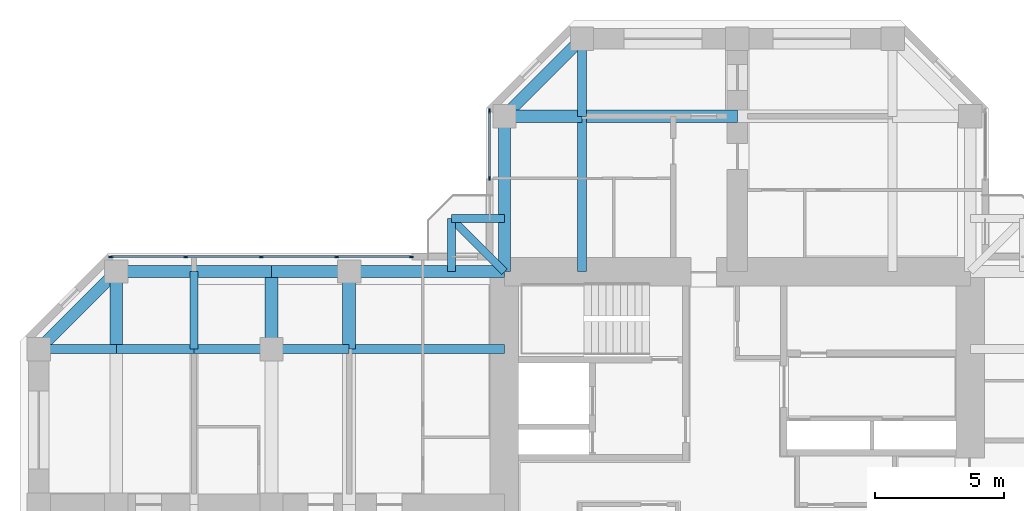
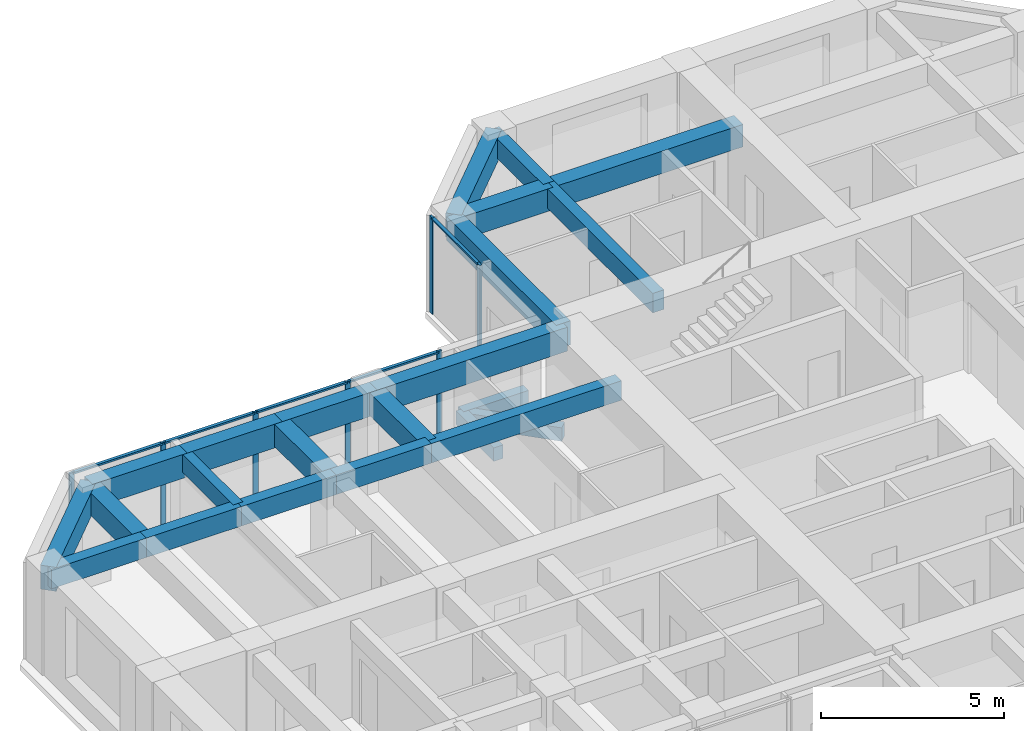
# One storey, part 5 of 14: 23 beams, 12 members, 2 elements without a shape of their own.
"""IFC4 building model written with IfcOpenShell, lengths in metres."""

from ifc_helpers import new_model, si_unit, direction, frame, origin, origin_2d, place, context, subcontext, project, spatial, rectangle, extrude, material, material_profile, profile_set, type_object, element, aggregate, save


model = new_model("IFC4")

# Units and contexts
model_context = context("Model", 3, precision=1e-05, world=origin(), true_north=direction((0.0, 1.0)))
body_context = subcontext(model_context, "Body", "Model", "MODEL_VIEW")
ifc_project = project(units=[si_unit("LENGTHUNIT", "METRE"), si_unit("AREAUNIT", "SQUARE_METRE"), si_unit("VOLUMEUNIT", "CUBIC_METRE"), si_unit("PLANEANGLEUNIT", "RADIAN"), si_unit("MASSUNIT", "GRAM", prefix="KILO")], contexts=[model_context])

# Site, building, storey
site_placement = place(None, origin())
site = spatial("IfcSite", under=ifc_project, at=site_placement, CompositionType="ELEMENT")
building_placement = place(site_placement, origin())
building = spatial("IfcBuilding", under=site, at=building_placement, Name="Torre Cruceta", CompositionType="ELEMENT")
storey_placement = place(building_placement, frame((0.0, 0.0, 186.5)))
storey = spatial("IfcBuildingStorey", under=building, at=storey_placement, Name="L46", CompositionType="ELEMENT", Elevation=186.5)

# Beams
ifc_material_1 = material(Name="Concrete G60 (fck 60 MPa)", Category="concrete")
ifc_material_profile_1 = material_profile(ifc_material_1, rectangle(XDim=0.300048828125, YDim=0.449951171875, at=origin_2d()), Name="RC 300X450")
ifc_profile_set_1 = profile_set([ifc_material_profile_1], Name="Concrete G60 (fck 60 MPa)")
beam_type_1 = type_object("IfcBeamType", Name="BALCONY CANTILEVER BEAM RC 300X450", PredefinedType="BEAM", material=ifc_profile_set_1)
beam_1_placement = place(storey_placement, frame((-9.0, 9.0, -0.405029296875), z_axis=(-0.707106781187, 0.707106781187, 0.0), x_axis=(-0.707106781187, -0.707106781187, 0.0)))
element("IfcBeam", 1, at=beam_1_placement, inside=storey, type_object=beam_type_1, Name="BB1 balcony beam L46 N", PredefinedType="BEAM", context=body_context, shape_type="SweptSolid", body=[
    extrude(rectangle(XDim=0.300048828125, YDim=0.449951171875, at=origin_2d()), origin(), (0.0, 0.0, 1.0), 2.89990234375),
])
for number, where, z_axis, x_axis, name in (
    (2, (-11.050537109375, 9.0, -0.405029296875), (0.0, 1.0, 0.0), (-1.0, 0.0, 0.0), "BB1 balcony edge beam L46 N-X"),
    (3, (-9.0, 11.050537109375, -0.405029296875), (-1.0, 0.0, 0.0), (0.0, -1.0, 0.0), "BB1 balcony edge beam L46 N-Y"),
):
    element("IfcBeam", number, at=place(storey_placement, frame(where, z_axis=z_axis, x_axis=x_axis)), inside=storey, type_object=beam_type_1, Name=name, PredefinedType="BEAM", context=body_context, shape_type="SweptSolid", body=[
        extrude(rectangle(XDim=0.300048828125, YDim=0.449951171875, at=origin_2d()), origin(), (0.0, 0.0, 1.0), 2.050537109375),
    ])
ifc_material_2 = material(Name="Concrete G60 (fck 60 MPa)", Category="concrete")
ifc_material_profile_2 = material_profile(ifc_material_2, rectangle(XDim=0.35009765625, YDim=0.64990234375, at=origin_2d()), Name="RC 350X650")
ifc_profile_set_2 = profile_set([ifc_material_profile_2], Name="Concrete G60 (fck 60 MPa)")
beam_type_2 = type_object("IfcBeamType", Name="COLUMN LINE BEAM RC 350X650", PredefinedType="BEAM", material=ifc_profile_set_2)
beam_2_placement = place(storey_placement, frame((-6.0, 9.0, 2.89501953125), z_axis=(0.0, 1.0, 0.0), x_axis=(-1.0, 0.0, 0.0)))
element("IfcBeam", 4, at=beam_2_placement, inside=storey, type_object=beam_type_2, Name="LB7 L46 N col+ 1", PredefinedType="BEAM", context=body_context, shape_type="SweptSolid", body=[
    extrude(rectangle(XDim=0.35009765625, YDim=0.64990234375, at=origin_2d()), origin(), (0.0, 0.0, 1.0), 6.0),
])
beam_3_placement = place(storey_placement, frame((-6.0, 15.0, 2.89501953125), z_axis=(0.0, 1.0, 0.0), x_axis=(-1.0, 0.0, 0.0)))
element("IfcBeam", 5, at=beam_3_placement, inside=storey, type_object=beam_type_2, Name="LB7 L46 N col+ 2", PredefinedType="BEAM", context=body_context, shape_type="SweptSolid", body=[
    extrude(rectangle(XDim=0.35009765625, YDim=0.64990234375, at=origin_2d()), origin(), (0.0, 0.0, 1.0), 3.0),
])
beam_4_placement = place(storey_placement, frame((-9.0, 6.0, 2.89501953125), z_axis=(-1.0, 0.0, 0.0), x_axis=(0.0, -1.0, 0.0)))
element("IfcBeam", 6, at=beam_4_placement, inside=storey, type_object=beam_type_2, Name="LB7 L46 W col- 1", PredefinedType="BEAM", context=body_context, shape_type="SweptSolid", body=[
    extrude(rectangle(XDim=0.35009765625, YDim=0.64990234375, at=origin_2d()), origin(), (0.0, 0.0, 1.0), 6.0),
])
for number, where, z_axis, x_axis, name in (
    (7, (-15.0, 6.0, 2.89501953125), (-1.0, 0.0, 0.0), (0.0, -1.0, 0.0), "LB7 L46 W col- 2"),
    (8, (-18.0, 6.0, 2.89501953125), (-1.0, 0.0, 0.0), (0.0, -1.0, 0.0), "LB7 L46 W col- 3"),
    (9, (-21.0, 6.0, 2.89501953125), (-1.0, 0.0, 0.0), (0.0, -1.0, 0.0), "LB7 L46 W col- 4"),
    (10, (-24.0, 6.0, 2.89501953125), (-1.0, 0.0, 0.0), (0.0, -1.0, 0.0), "LB7 L46 W col- 5"),
):
    element("IfcBeam", number, at=place(storey_placement, frame(where, z_axis=z_axis, x_axis=x_axis)), inside=storey, type_object=beam_type_2, Name=name, PredefinedType="BEAM", context=body_context, shape_type="SweptSolid", body=[
        extrude(rectangle(XDim=0.35009765625, YDim=0.64990234375, at=origin_2d()), origin(), (0.0, 0.0, 1.0), 3.0),
    ])
ifc_material_3 = material(Name="Concrete G60 (fck 60 MPa)", Category="concrete")
ifc_material_profile_3 = material_profile(ifc_material_3, rectangle(XDim=0.5, YDim=0.75, at=origin_2d()), Name="RC 500X750")
ifc_profile_set_3 = profile_set([ifc_material_profile_3], Name="Concrete G60 (fck 60 MPa)")
beam_type_3 = type_object("IfcBeamType", Name="CROSS BEAM RC 500X750", PredefinedType="BEAM", material=ifc_profile_set_3)
beam_5_placement = place(storey_placement, frame((0.0, 15.0, 2.844970703125), z_axis=(-1.0, 0.0, 0.0), x_axis=(0.0, -1.0, 0.0)))
element("IfcBeam", 11, at=beam_5_placement, inside=storey, type_object=beam_type_3, Name="GB6 L46 N cross15 3", PredefinedType="BEAM", context=body_context, shape_type="SweptSolid", body=[
    extrude(rectangle(XDim=0.5, YDim=0.75, at=origin_2d()), origin(), (0.0, 0.0, 1.0), 6.0),
])
for number, where, z_axis, x_axis, name in (
    (12, (-6.0, 15.0, 2.844970703125), (-1.0, 0.0, 0.0), (0.0, -1.0, 0.0), "GB6 L46 N cross15 4"),
    (13, (-15.0, 9.0, 2.844970703125), (0.0, -1.0, 0.0), (1.0, 0.0, 0.0), "GB6 L46 W cross15 1"),
    (14, (-18.0, 9.0, 2.844970703125), (0.0, -1.0, 0.0), (1.0, 0.0, 0.0), "GB6 L46 W cross18 1"),
    (15, (-24.0, 9.0, 2.844970703125), (0.0, -1.0, 0.0), (1.0, 0.0, 0.0), "GB6 L46 W cross24 1"),
):
    element("IfcBeam", number, at=place(storey_placement, frame(where, z_axis=z_axis, x_axis=x_axis)), inside=storey, type_object=beam_type_3, Name=name, PredefinedType="BEAM", context=body_context, shape_type="SweptSolid", body=[
        extrude(rectangle(XDim=0.5, YDim=0.75, at=origin_2d()), origin(), (0.0, 0.0, 1.0), 3.0),
    ])

# Curtain wall, members
ifc_material_4 = material(Name="Aluminium unitised curtain wall", Category="aluminium")
curtain_wall_type = type_object("IfcCurtainWallType", Name="CURTAIN WALL CW-C CO-LIVING", PredefinedType="USERDEFINED", material=ifc_material_4)
curtain_wall_1_placement = place(storey_placement, origin())
curtain_wall_1 = element("IfcCurtainWall", 16, at=curtain_wall_1_placement, inside=storey, type_object=curtain_wall_type, Name="CW-C L46 N side 09", ObjectType="UNITISED", PredefinedType="USERDEFINED")
ifc_material_5 = material(Name="Aluminium mullion", Category="aluminium")
ifc_material_profile_4 = material_profile(ifc_material_5, rectangle(XDim=0.06005859375, YDim=0.159912109375, at=origin_2d()), Name="AL 60X160")
ifc_profile_set_4 = profile_set([ifc_material_profile_4], Name="Aluminium mullion")
member_type_1 = type_object("IfcMemberType", Name="CW-C MULLION 60X160", PredefinedType="MULLION", material=ifc_profile_set_4)
member_1_placement = place(storey_placement, frame((-9.570068359375, 15.2060546875, 0.0), z_axis=(0.0, 0.0, 1.0), x_axis=(1.0, 0.0, 0.0)))
member_1 = element("IfcMember", 17, at=member_1_placement, type_object=member_type_1, Name="CW-C mullion 1", PredefinedType="MULLION", context=body_context, shape_type="SweptSolid", body=[
    extrude(rectangle(XDim=0.06005859375, YDim=0.159912109375, at=origin_2d()), origin(), (0.0, 0.0, 1.0), 3.219970703125),
])
member_2_placement = place(storey_placement, frame((-9.570068359375, 12.60009765625, 0.0), z_axis=(0.0, 0.0, 1.0), x_axis=(1.0, 0.0, 0.0)))
member_2 = element("IfcMember", 18, at=member_2_placement, type_object=member_type_1, Name="CW-C mullion 2", PredefinedType="MULLION", context=body_context, shape_type="SweptSolid", body=[
    extrude(rectangle(XDim=0.06005859375, YDim=0.159912109375, at=origin_2d()), origin(), (0.0, 0.0, 1.0), 3.219970703125),
])

curtain_wall_2_placement = place(storey_placement, origin())
curtain_wall_2 = element("IfcCurtainWall", 19, at=curtain_wall_2_placement, inside=storey, type_object=curtain_wall_type, Name="CW-C L46 W side 10", ObjectType="UNITISED", PredefinedType="USERDEFINED")
member_3_placement = place(storey_placement, frame((-12.60009765625, 9.570068359375, 0.0), z_axis=(0.0, 0.0, 1.0), x_axis=(0.0, -1.0, 0.0)))
member_3 = element("IfcMember", 20, at=member_3_placement, type_object=member_type_1, Name="CW-C mullion 1", PredefinedType="MULLION", context=body_context, shape_type="SweptSolid", body=[
    extrude(rectangle(XDim=0.06005859375, YDim=0.159912109375, at=origin_2d()), origin(), (0.0, 0.0, 1.0), 3.219970703125),
])
member_4_placement = place(storey_placement, frame((-15.486572265625, 9.570068359375, 0.0), z_axis=(0.0, 0.0, 1.0), x_axis=(0.0, -1.0, 0.0)))
member_4 = element("IfcMember", 21, at=member_4_placement, type_object=member_type_1, Name="CW-C mullion 2", PredefinedType="MULLION", context=body_context, shape_type="SweptSolid", body=[
    extrude(rectangle(XDim=0.06005859375, YDim=0.159912109375, at=origin_2d()), origin(), (0.0, 0.0, 1.0), 3.219970703125),
])
member_5_placement = place(storey_placement, frame((-18.403076171875, 9.570068359375, 0.0), z_axis=(0.0, 0.0, 1.0), x_axis=(0.0, -1.0, 0.0)))
member_5 = element("IfcMember", 22, at=member_5_placement, type_object=member_type_1, Name="CW-C mullion 3", PredefinedType="MULLION", context=body_context, shape_type="SweptSolid", body=[
    extrude(rectangle(XDim=0.06005859375, YDim=0.159912109375, at=origin_2d()), origin(), (0.0, 0.0, 1.0), 3.219970703125),
])
member_6_placement = place(storey_placement, frame((-21.319580078125, 9.570068359375, 0.0), z_axis=(0.0, 0.0, 1.0), x_axis=(0.0, -1.0, 0.0)))
member_6 = element("IfcMember", 23, at=member_6_placement, type_object=member_type_1, Name="CW-C mullion 4", PredefinedType="MULLION", context=body_context, shape_type="SweptSolid", body=[
    extrude(rectangle(XDim=0.06005859375, YDim=0.159912109375, at=origin_2d()), origin(), (0.0, 0.0, 1.0), 3.219970703125),
])
member_7_placement = place(storey_placement, frame((-24.2060546875, 9.570068359375, 0.0), z_axis=(0.0, 0.0, 1.0), x_axis=(0.0, -1.0, 0.0)))
member_7 = element("IfcMember", 24, at=member_7_placement, type_object=member_type_1, Name="CW-C mullion 5", PredefinedType="MULLION", context=body_context, shape_type="SweptSolid", body=[
    extrude(rectangle(XDim=0.06005859375, YDim=0.159912109375, at=origin_2d()), origin(), (0.0, 0.0, 1.0), 3.219970703125),
])

# Member
ifc_material_6 = material(Name="Aluminium transom", Category="aluminium")
ifc_material_profile_5 = material_profile(ifc_material_6, rectangle(XDim=0.10009765625, YDim=0.06005859375, at=origin_2d()), Name="AL 100X60")
ifc_profile_set_5 = profile_set([ifc_material_profile_5], Name="Aluminium transom")
member_type_2 = type_object("IfcMemberType", Name="CW-C TRANSOM 60X100", PredefinedType="USERDEFINED", material=ifc_profile_set_5)
member_8_placement = place(storey_placement, frame((-9.570068359375, 15.176025390625, 3.18994140625), z_axis=(0.0, -1.0, 0.0), x_axis=(1.0, 0.0, 0.0)))
member_8 = element("IfcMember", 25, at=member_8_placement, type_object=member_type_2, Name="CW-C transom 1", ObjectType="TRANSOM", PredefinedType="USERDEFINED", context=body_context, shape_type="SweptSolid", body=[
    extrude(rectangle(XDim=0.10009765625, YDim=0.06005859375, at=origin_2d()), origin(), (0.0, 0.0, 1.0), 2.546142578125),
])

aggregate(curtain_wall_1, [member_1, member_2, member_8])

member_9_placement = place(storey_placement, frame((-12.6298828125, 9.570068359375, 3.18994140625), z_axis=(-1.0, 0.0, 0.0), x_axis=(0.0, -1.0, 0.0)))
member_9 = element("IfcMember", 26, at=member_9_placement, type_object=member_type_2, Name="CW-C transom 1", ObjectType="TRANSOM", PredefinedType="USERDEFINED", context=body_context, shape_type="SweptSolid", body=[
    extrude(rectangle(XDim=0.10009765625, YDim=0.06005859375, at=origin_2d()), origin(), (0.0, 0.0, 1.0), 2.82666015625),
])

member_10_placement = place(storey_placement, frame((-15.5166015625, 9.570068359375, 3.18994140625), z_axis=(-1.0, 0.0, 0.0), x_axis=(0.0, -1.0, 0.0)))
member_10 = element("IfcMember", 27, at=member_10_placement, type_object=member_type_2, Name="CW-C transom 2", ObjectType="TRANSOM", PredefinedType="USERDEFINED", context=body_context, shape_type="SweptSolid", body=[
    extrude(rectangle(XDim=0.10009765625, YDim=0.06005859375, at=origin_2d()), origin(), (0.0, 0.0, 1.0), 2.8564453125),
])

member_11_placement = place(storey_placement, frame((-18.43310546875, 9.570068359375, 3.18994140625), z_axis=(-1.0, 0.0, 0.0), x_axis=(0.0, -1.0, 0.0)))
member_11 = element("IfcMember", 28, at=member_11_placement, type_object=member_type_2, Name="CW-C transom 3", ObjectType="TRANSOM", PredefinedType="USERDEFINED", context=body_context, shape_type="SweptSolid", body=[
    extrude(rectangle(XDim=0.10009765625, YDim=0.06005859375, at=origin_2d()), origin(), (0.0, 0.0, 1.0), 2.8564453125),
])

member_12_placement = place(storey_placement, frame((-21.349609375, 9.570068359375, 3.18994140625), z_axis=(-1.0, 0.0, 0.0), x_axis=(0.0, -1.0, 0.0)))
member_12 = element("IfcMember", 29, at=member_12_placement, type_object=member_type_2, Name="CW-C transom 4", ObjectType="TRANSOM", PredefinedType="USERDEFINED", context=body_context, shape_type="SweptSolid", body=[
    extrude(rectangle(XDim=0.10009765625, YDim=0.06005859375, at=origin_2d()), origin(), (0.0, 0.0, 1.0), 2.826416015625),
])

aggregate(curtain_wall_2, [member_3, member_4, member_5, member_6, member_7, member_9, member_10, member_11, member_12])

# Beams
ifc_material_7 = material(Name="Concrete G60 (fck 60 MPa)", Category="concrete")
ifc_material_profile_6 = material_profile(ifc_material_7, rectangle(XDim=0.300048828125, YDim=0.60009765625, at=origin_2d()), Name="RC 300X600")
ifc_profile_set_6 = profile_set([ifc_material_profile_6], Name="Concrete G60 (fck 60 MPa)")
beam_type_4 = type_object("IfcBeamType", Name="SECONDARY BEAM RC 300X600", PredefinedType="JOIST", material=ifc_profile_set_6)
beam_6_placement = place(storey_placement, frame((-21.0, 9.0, 2.919921875), z_axis=(0.0, -1.0, 0.0), x_axis=(1.0, 0.0, 0.0)))
element("IfcBeam", 30, at=beam_6_placement, inside=storey, type_object=beam_type_4, Name="JB6 L46 W sec21 1", PredefinedType="JOIST", context=body_context, shape_type="SweptSolid", body=[
    extrude(rectangle(XDim=0.300048828125, YDim=0.60009765625, at=origin_2d()), origin(), (0.0, 0.0, 1.0), 3.0),
])
ifc_material_8 = material(Name="Concrete G60 (fck 60 MPa)", Category="concrete")
ifc_material_profile_7 = material_profile(ifc_material_8, rectangle(XDim=0.449951171875, YDim=0.800048828125, at=origin_2d()), Name="RC 450X800")
ifc_profile_set_7 = profile_set([ifc_material_profile_7], Name="Concrete G60 (fck 60 MPa)")
beam_type_5 = type_object("IfcBeamType", Name="SPANDREL BEAM RC 450X800", PredefinedType="SPANDREL", material=ifc_profile_set_7)
beam_7_placement = place(storey_placement, frame((-9.0, 9.0, 2.820068359375), z_axis=(0.0, 1.0, 0.0), x_axis=(-1.0, 0.0, 0.0)))
element("IfcBeam", 31, at=beam_7_placement, inside=storey, type_object=beam_type_5, Name="SB6 L46 N side+ 1", PredefinedType="SPANDREL", context=body_context, shape_type="SweptSolid", body=[
    extrude(rectangle(XDim=0.449951171875, YDim=0.800048828125, at=origin_2d()), origin(), (0.0, 0.0, 1.0), 6.0),
])
beam_8_placement = place(storey_placement, frame((-9.0, 15.0, 2.820068359375), z_axis=(0.707106781187, 0.707106781187, 0.0), x_axis=(-0.707106781187, 0.707106781187, 0.0)))
element("IfcBeam", 32, at=beam_8_placement, inside=storey, type_object=beam_type_5, Name="SB6 L46 N side+ 2", PredefinedType="SPANDREL", context=body_context, shape_type="SweptSolid", body=[
    extrude(rectangle(XDim=0.449951171875, YDim=0.800048828125, at=origin_2d()), origin(), (0.0, 0.0, 1.0), 4.24267578125),
])
beam_9_placement = place(storey_placement, frame((-9.0, 9.0, 2.820068359375), z_axis=(-1.0, 0.0, 0.0), x_axis=(0.0, -1.0, 0.0)))
element("IfcBeam", 33, at=beam_9_placement, inside=storey, type_object=beam_type_5, Name="SB6 L46 W side- 1", PredefinedType="SPANDREL", context=body_context, shape_type="SweptSolid", body=[
    extrude(rectangle(XDim=0.449951171875, YDim=0.800048828125, at=origin_2d()), origin(), (0.0, 0.0, 1.0), 6.0),
])
for number, where, z_axis, x_axis, name in (
    (34, (-15.0, 9.0, 2.820068359375), (-1.0, 0.0, 0.0), (0.0, -1.0, 0.0), "SB6 L46 W side- 2"),
    (35, (-18.0, 9.0, 2.820068359375), (-1.0, 0.0, 0.0), (0.0, -1.0, 0.0), "SB6 L46 W side- 3"),
    (36, (-21.0, 9.0, 2.820068359375), (-1.0, 0.0, 0.0), (0.0, -1.0, 0.0), "SB6 L46 W side- 4"),
):
    element("IfcBeam", number, at=place(storey_placement, frame(where, z_axis=z_axis, x_axis=x_axis)), inside=storey, type_object=beam_type_5, Name=name, PredefinedType="SPANDREL", context=body_context, shape_type="SweptSolid", body=[
        extrude(rectangle(XDim=0.449951171875, YDim=0.800048828125, at=origin_2d()), origin(), (0.0, 0.0, 1.0), 3.0),
    ])
beam_10_placement = place(storey_placement, frame((-24.0, 9.0, 2.820068359375), z_axis=(-0.707106781187, -0.707106781187, 0.0), x_axis=(0.707106781187, -0.707106781187, 0.0)))
element("IfcBeam", 37, at=beam_10_placement, inside=storey, type_object=beam_type_5, Name="SB6 L46 W side- 5", PredefinedType="SPANDREL", context=body_context, shape_type="SweptSolid", body=[
    extrude(rectangle(XDim=0.449951171875, YDim=0.800048828125, at=origin_2d()), origin(), (0.0, 0.0, 1.0), 4.24267578125),
])

save(model, "model.ifc")
